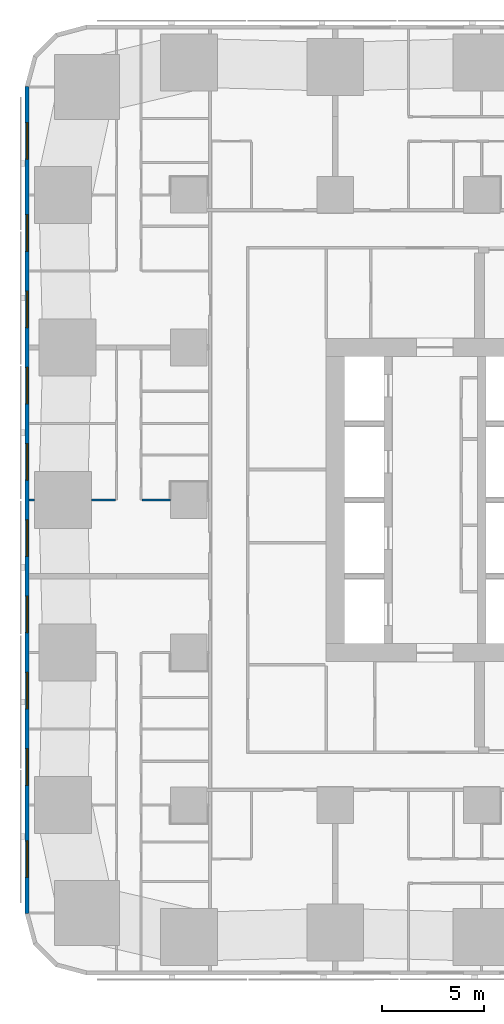
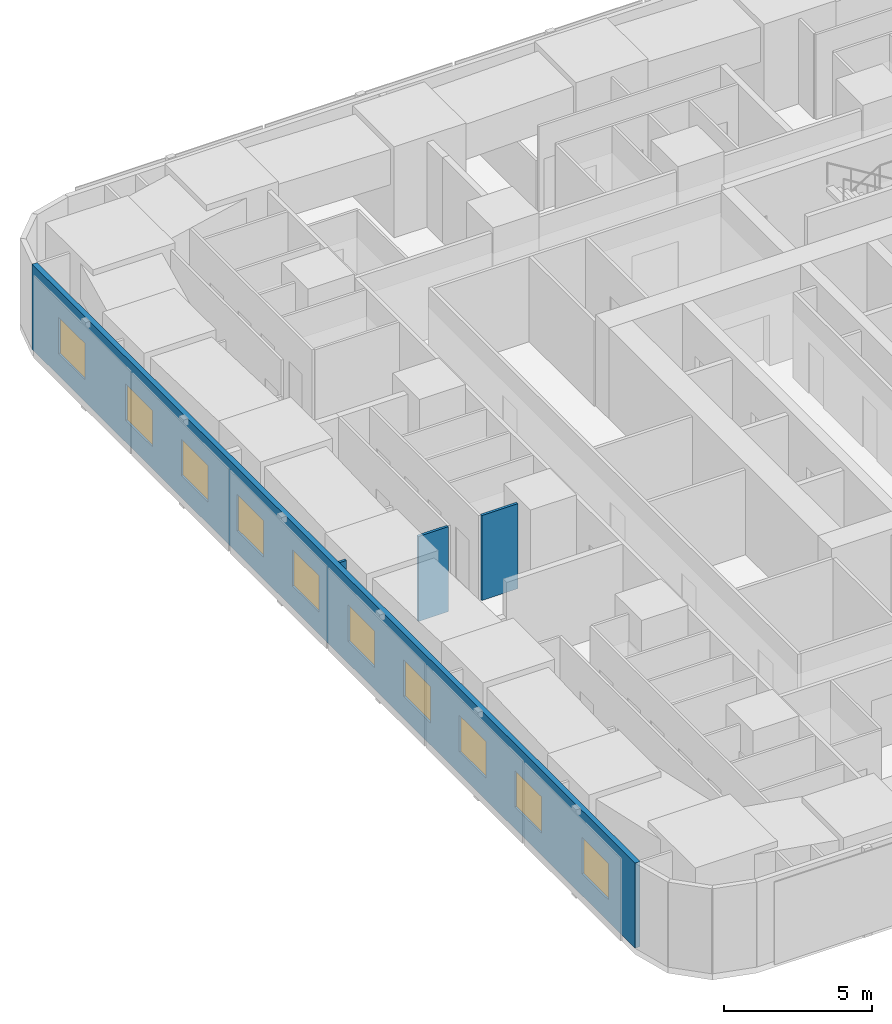
# One storey, part 4 of 18: 10 windows, 4 walls, 10 openings.
"""IFC4 building model written with IfcOpenShell, lengths in metres."""

import ifcopenshell
import ifcopenshell.guid

model = None  # the IFC model being written
_history = None  # IfcOwnerHistory: only IFC2X3 demands one
_inside = {}  # id of a spatial element -> (the spatial element, [elements in it])
_under = {}  # id of a project, library or spatial element -> (it, [spatial elements below it])
_declared = {}  # id of a project -> (the project, [libraries it declares])
_typed = {}  # id of a type object -> (the type object, [elements of that type])
_made_of = {}  # id of a material, layer set ... -> (it, [elements and type objects made of it])


def new_model(schema):
    """Start an empty IFC model of exactly this schema.

    Asked for "IFC4X3", IfcOpenShell would pick the latest addendum, in which some entities
    have other attributes; the version numbers below select the first issue.
    IFC2X3 requires an IfcOwnerHistory on every rooted entity: one is made here for all.
    """
    global model, _history
    if schema == "IFC4X3":
        model = ifcopenshell.file(schema_version=(4, 3, 0, 0))
    else:
        model = ifcopenshell.file(schema=schema)
    _inside.clear()
    _under.clear()
    _declared.clear()
    _typed.clear()
    _made_of.clear()
    _history = None
    if model.schema == "IFC2X3":
        org = make("IfcOrganization", Name="unknown")
        user = make(
            "IfcPersonAndOrganization",
            ThePerson=make("IfcPerson", FamilyName="unknown"),
            TheOrganization=org,
        )
        app = make(
            "IfcApplication",
            ApplicationDeveloper=org,
            Version="unknown",
            ApplicationFullName="unknown",
            ApplicationIdentifier="unknown",
        )
        _history = make(
            "IfcOwnerHistory",
            OwningUser=user,
            OwningApplication=app,
            ChangeAction="ADDED",
            CreationDate=0,
        )
    return model


def make(cls, **values):
    """One entity of the class cls with the attributes given. An attribute that is None is left unset."""
    return model.create_entity(
        cls, **{name: value for name, value in values.items() if value is not None}
    )


def rooted(cls, **values):
    """An entity with a GlobalId (a new one), such as an element, a storey or a relation."""
    return make(cls, GlobalId=ifcopenshell.guid.new(), OwnerHistory=_history, **values)


def si_unit(unit_type, name, prefix=None):
    """IfcSIUnit, for example si_unit("LENGTHUNIT", "METRE", prefix="MILLI")."""
    return make("IfcSIUnit", UnitType=unit_type, Prefix=prefix, Name=name)


def assignment(units):
    """IfcUnitAssignment: the units of a project."""
    return None if units is None else make("IfcUnitAssignment", Units=units)


def point(xyz):
    """IfcCartesianPoint."""
    return None if xyz is None else make("IfcCartesianPoint", Coordinates=xyz)


def direction(xyz):
    """IfcDirection."""
    return None if xyz is None else make("IfcDirection", DirectionRatios=xyz)


def frame(location, z_axis=None, x_axis=None):
    """IfcAxis2Placement3D, a coordinate frame: its origin and axes. An axis left out is left unset."""
    return make(
        "IfcAxis2Placement3D",
        Location=point(location),
        Axis=direction(z_axis),
        RefDirection=direction(x_axis),
    )


def frame_2d(location, x_axis=None):
    """IfcAxis2Placement2D, a coordinate frame in the plane: its origin and x axis."""
    return make(
        "IfcAxis2Placement2D", Location=point(location), RefDirection=direction(x_axis)
    )


def origin():
    """The frame at (0, 0, 0) with its axes left unset."""
    return frame((0.0, 0.0, 0.0))


def place(relative_to, where):
    """IfcLocalPlacement: puts the frame where relative to a parent placement (None: the world)."""
    return make(
        "IfcLocalPlacement", PlacementRelTo=relative_to, RelativePlacement=where
    )


def context(
    kind, dimensions, precision=None, world=None, true_north=None, identifier=None
):
    """IfcGeometricRepresentationContext, for example the 3D "Model" context."""
    return make(
        "IfcGeometricRepresentationContext",
        ContextIdentifier=identifier,
        ContextType=kind,
        CoordinateSpaceDimension=dimensions,
        Precision=precision,
        WorldCoordinateSystem=world,
        TrueNorth=true_north,
    )


def subcontext(parent, identifier, kind, view, scale=None):
    """IfcGeometricRepresentationSubContext, for example "Body" below "Model"."""
    return make(
        "IfcGeometricRepresentationSubContext",
        ContextIdentifier=identifier,
        ContextType=kind,
        ParentContext=parent,
        TargetScale=scale,
        TargetView=view,
    )


def project(units=None, contexts=None):
    """IfcProject with its units and contexts."""
    return rooted(
        "IfcProject",
        Name="project",
        RepresentationContexts=contexts,
        UnitsInContext=assignment(units),
    )


def spatial(cls, under=None, at=None, **own):
    """A site, building, storey or space (cls), placed at a placement, below another one or the project."""
    s = rooted(cls, ObjectPlacement=at, **own)
    if under is not None:
        _under.setdefault(under.id(), (under, []))[1].append(s)
    return s


def profile(cls, at=None, kind="AREA", **sizes):
    """A parametric profile (cls). Its sizes go by their IFC names, for example OverallWidth=200.0."""
    return make(cls, ProfileType=kind, Position=at, **sizes)


def rectangle(**sizes):
    """IfcRectangleProfileDef."""
    return profile("IfcRectangleProfileDef", **sizes)


def extrude(swept, where, along, depth):
    """IfcExtrudedAreaSolid: the profile swept, set in the frame where, extruded along a direction by depth."""
    return make(
        "IfcExtrudedAreaSolid",
        SweptArea=swept,
        Position=where,
        ExtrudedDirection=direction(along),
        Depth=depth,
    )


def shape(context_of_items, identifier, shape_type, items):
    """IfcShapeRepresentation: the items that make up one representation, for example the "Body"."""
    return make(
        "IfcShapeRepresentation",
        ContextOfItems=context_of_items,
        RepresentationIdentifier=identifier,
        RepresentationType=shape_type,
        Items=items,
    )


def material(Name=None, Category=None):
    """IfcMaterial."""
    return make("IfcMaterial", Name=Name, Category=Category)


def layer(
    of_material, thickness, ventilated=None, Name=None, Category=None, Priority=None
):
    """IfcMaterialLayer: one layer of a wall or slab, of a material (None: an air gap)."""
    return make(
        "IfcMaterialLayer",
        Material=of_material,
        LayerThickness=thickness,
        IsVentilated=ventilated,
        Name=Name,
        Category=Category,
        Priority=Priority,
    )


def layer_set(layers, Name=None):
    """IfcMaterialLayerSet."""
    return make("IfcMaterialLayerSet", MaterialLayers=layers, LayerSetName=Name)


def made_of(thing, what):
    """Note that an element or type object is made of a material, layer set ...; save() writes the relation."""
    if what is not None:
        _made_of.setdefault(what.id(), (what, []))[1].append(thing)
    return thing


def type_object(cls, material=None, **own):
    """A type object (cls), such as IfcWallType, which elements share."""
    return made_of(rooted(cls, **own), material)


def element(
    cls,
    number,
    at=None,
    inside=None,
    cuts=None,
    type_object=None,
    material=None,
    context=None,
    identifier="Body",
    shape_type=None,
    held_by="IfcProductDefinitionShape",
    body=None,
    shapes=None,
    **own,
):
    """One element of the class cls, such as IfcWall. Its Tag is "e" and its number.

    at: its placement. inside: the storey or other place that contains it. cuts: it is an
    opening in that element (IfcRelVoidsElement). A single representation is given by context,
    identifier, shape_type and body (its items); several are given by shapes. held_by: the class
    of the entity that holds the representations. save() writes the other relations.
    """
    e = rooted(cls, Tag="e%d" % number, ObjectPlacement=at, **own)
    if body is not None:
        shapes = [shape(context, identifier, shape_type, body)]
    if shapes is not None:
        e.Representation = make(held_by, Representations=shapes)
    if inside is not None:
        _inside.setdefault(inside.id(), (inside, []))[1].append(e)
    if cuts is not None:
        rooted(
            "IfcRelVoidsElement", RelatingBuildingElement=cuts, RelatedOpeningElement=e
        )
    if type_object is not None:
        _typed.setdefault(type_object.id(), (type_object, []))[1].append(e)
    return made_of(e, material)


def fill(opening, filler):
    """IfcRelFillsElement: the door or window that sits in an opening."""
    return rooted(
        "IfcRelFillsElement",
        RelatingOpeningElement=opening,
        RelatedBuildingElement=filler,
    )


def aggregate(whole, parts):
    """IfcRelAggregates: a whole, such as a stair, and the parts it consists of."""
    return rooted("IfcRelAggregates", RelatingObject=whole, RelatedObjects=parts)


def save(model, path):
    """Write the relations noted so far, then the file.

    IfcRelAggregates (storeys below a building ...), IfcRelContainedInSpatialStructure (elements
    in a storey), IfcRelDefinesByType, IfcRelAssociatesMaterial and IfcRelDeclares: one each for
    every whole, place, type object, material and project.
    """
    for whole, parts in _under.values():
        aggregate(whole, parts)
    for where, things in _inside.values():
        rooted(
            "IfcRelContainedInSpatialStructure",
            RelatedElements=things,
            RelatingStructure=where,
        )
    for kind, things in _typed.values():
        rooted("IfcRelDefinesByType", RelatedObjects=things, RelatingType=kind)
    for what, things in _made_of.values():
        rooted("IfcRelAssociatesMaterial", RelatedObjects=things, RelatingMaterial=what)
    for by, libraries in _declared.values():
        rooted("IfcRelDeclares", RelatingContext=by, RelatedDefinitions=libraries)
    model.write(path)


model = new_model("IFC4")

# Units and contexts
model_context = context("Model", 3, precision=1e-05, world=origin(), true_north=direction((0.0, 1.0)))
body_context = subcontext(model_context, "Body", "Model", "MODEL_VIEW")
ifc_project = project(units=[si_unit("LENGTHUNIT", "METRE"), si_unit("AREAUNIT", "SQUARE_METRE"), si_unit("VOLUMEUNIT", "CUBIC_METRE"), si_unit("PLANEANGLEUNIT", "RADIAN"), si_unit("MASSUNIT", "GRAM", prefix="KILO")], contexts=[model_context])

# Site, building, storey
site_placement = place(None, origin())
site = spatial("IfcSite", under=ifc_project, at=site_placement, CompositionType="ELEMENT")
building_placement = place(site_placement, origin())
building = spatial("IfcBuilding", under=site, at=building_placement, Name="Sheger Commons Tower", CompositionType="ELEMENT")
storey_placement = place(building_placement, frame((0.0, 0.0, 31.25)))
storey = spatial("IfcBuildingStorey", under=building, at=storey_placement, Name="L07", CompositionType="ELEMENT", Elevation=31.25)

# Wall, openings, windows
ifc_material_1 = material(Name="Rendered concrete block masonry, dark grey", Category="masonry")
ifc_layer_1 = layer(ifc_material_1, 0.199951171875)
ifc_layer_set_1 = layer_set([ifc_layer_1], Name="FACADE WALL 200")
wall_type_1 = type_object("IfcWallType", Name="FACADE WALL 200", PredefinedType="SOLIDWALL", material=ifc_layer_set_1)
wall_1_placement = place(storey_placement, frame((-0.75, 42.8369140625, 0.0), z_axis=(0.0, 0.0, 1.0), x_axis=(0.0, -1.0, 0.0)))
wall_1 = element("IfcWall", 1, at=wall_1_placement, inside=storey, type_object=wall_type_1, Name="Facade wall L07", PredefinedType="SOLIDWALL", context=body_context, shape_type="SweptSolid", body=[
    extrude(rectangle(XDim=40.673828125, YDim=0.199951171875, at=frame_2d((20.3369140625, 0.0))), origin(), (0.0, 0.0, 1.0), 3.5),
])
opening_1_placement = place(wall_1_placement, frame((1.780029296875, 0.0, 0.89990234375)))
opening_1 = element("IfcOpeningElement", 2, at=opening_1_placement, cuts=wall_1, Name="Opening W2", PredefinedType="OPENING", context=body_context, shape_type="SweptSolid", body=[
    extrude(rectangle(XDim=1.800048828125, YDim=1.5, at=frame_2d((0.89990234375, 0.75))), frame((0.0, 0.10986328125, 0.0), z_axis=(0.0, -1.0, 0.0), x_axis=(1.0, 0.0, 0.0)), (0.0, 0.0, 1.0), 0.219970703125),
])
opening_2_placement = place(wall_1_placement, frame((6.31201171875, 0.0, 0.89990234375)))
opening_2 = element("IfcOpeningElement", 3, at=opening_2_placement, cuts=wall_1, Name="Opening W2", PredefinedType="OPENING", context=body_context, shape_type="SweptSolid", body=[
    extrude(rectangle(XDim=1.800048828125, YDim=1.5, at=frame_2d((0.89990234375, 0.75))), frame((0.0, 0.10986328125, 0.0), z_axis=(0.0, -1.0, 0.0), x_axis=(1.0, 0.0, 0.0)), (0.0, 0.0, 1.0), 0.219970703125),
])
opening_3_placement = place(wall_1_placement, frame((10.06201171875, 0.0, 0.89990234375)))
opening_3 = element("IfcOpeningElement", 4, at=opening_3_placement, cuts=wall_1, Name="Opening W2", PredefinedType="OPENING", context=body_context, shape_type="SweptSolid", body=[
    extrude(rectangle(XDim=1.800048828125, YDim=1.5, at=frame_2d((0.89990234375, 0.75))), frame((0.0, 0.10986328125, 0.0), z_axis=(0.0, -1.0, 0.0), x_axis=(1.0, 0.0, 0.0)), (0.0, 0.0, 1.0), 0.219970703125),
])
opening_4_placement = place(wall_1_placement, frame((13.81201171875, 0.0, 0.89990234375)))
opening_4 = element("IfcOpeningElement", 5, at=opening_4_placement, cuts=wall_1, Name="Opening W2", PredefinedType="OPENING", context=body_context, shape_type="SweptSolid", body=[
    extrude(rectangle(XDim=1.800048828125, YDim=1.5, at=frame_2d((0.89990234375, 0.75))), frame((0.0, 0.10986328125, 0.0), z_axis=(0.0, -1.0, 0.0), x_axis=(1.0, 0.0, 0.0)), (0.0, 0.0, 1.0), 0.219970703125),
])
opening_5_placement = place(wall_1_placement, frame((17.56201171875, 0.0, 0.89990234375)))
opening_5 = element("IfcOpeningElement", 6, at=opening_5_placement, cuts=wall_1, Name="Opening W2", PredefinedType="OPENING", context=body_context, shape_type="SweptSolid", body=[
    extrude(rectangle(XDim=1.800048828125, YDim=1.5, at=frame_2d((0.89990234375, 0.75))), frame((0.0, 0.10986328125, 0.0), z_axis=(0.0, -1.0, 0.0), x_axis=(1.0, 0.0, 0.0)), (0.0, 0.0, 1.0), 0.219970703125),
])
opening_6_placement = place(wall_1_placement, frame((21.31201171875, 0.0, 0.89990234375)))
opening_6 = element("IfcOpeningElement", 7, at=opening_6_placement, cuts=wall_1, Name="Opening W2", PredefinedType="OPENING", context=body_context, shape_type="SweptSolid", body=[
    extrude(rectangle(XDim=1.800048828125, YDim=1.5, at=frame_2d((0.89990234375, 0.75))), frame((0.0, 0.10986328125, 0.0), z_axis=(0.0, -1.0, 0.0), x_axis=(1.0, 0.0, 0.0)), (0.0, 0.0, 1.0), 0.219970703125),
])
opening_7_placement = place(wall_1_placement, frame((25.06201171875, 0.0, 0.89990234375)))
opening_7 = element("IfcOpeningElement", 8, at=opening_7_placement, cuts=wall_1, Name="Opening W2", PredefinedType="OPENING", context=body_context, shape_type="SweptSolid", body=[
    extrude(rectangle(XDim=1.800048828125, YDim=1.5, at=frame_2d((0.89990234375, 0.75))), frame((0.0, 0.10986328125, 0.0), z_axis=(0.0, -1.0, 0.0), x_axis=(1.0, 0.0, 0.0)), (0.0, 0.0, 1.0), 0.219970703125),
])
opening_8_placement = place(wall_1_placement, frame((28.81201171875, 0.0, 0.89990234375)))
opening_8 = element("IfcOpeningElement", 9, at=opening_8_placement, cuts=wall_1, Name="Opening W2", PredefinedType="OPENING", context=body_context, shape_type="SweptSolid", body=[
    extrude(rectangle(XDim=1.800048828125, YDim=1.5, at=frame_2d((0.89990234375, 0.75))), frame((0.0, 0.10986328125, 0.0), z_axis=(0.0, -1.0, 0.0), x_axis=(1.0, 0.0, 0.0)), (0.0, 0.0, 1.0), 0.219970703125),
])
opening_9_placement = place(wall_1_placement, frame((32.56201171875, 0.0, 0.89990234375)))
opening_9 = element("IfcOpeningElement", 10, at=opening_9_placement, cuts=wall_1, Name="Opening W2", PredefinedType="OPENING", context=body_context, shape_type="SweptSolid", body=[
    extrude(rectangle(XDim=1.800048828125, YDim=1.5, at=frame_2d((0.89990234375, 0.75))), frame((0.0, 0.10986328125, 0.0), z_axis=(0.0, -1.0, 0.0), x_axis=(1.0, 0.0, 0.0)), (0.0, 0.0, 1.0), 0.219970703125),
])
opening_10_placement = place(wall_1_placement, frame((37.093994140625, 0.0, 0.89990234375)))
opening_10 = element("IfcOpeningElement", 11, at=opening_10_placement, cuts=wall_1, Name="Opening W2", PredefinedType="OPENING", context=body_context, shape_type="SweptSolid", body=[
    extrude(rectangle(XDim=1.800048828125, YDim=1.5, at=frame_2d((0.89990234375, 0.75))), frame((0.0, 0.10986328125, 0.0), z_axis=(0.0, -1.0, 0.0), x_axis=(1.0, 0.0, 0.0)), (0.0, 0.0, 1.0), 0.219970703125),
])
ifc_material_2 = material(Name="Black aluminium frame, dark tinted double glazing", Category="aluminium")
window_type = type_object("IfcWindowType", Name="WINDOW W2 1800x1500", PartitioningType="SINGLE_PANEL", PredefinedType="WINDOW", material=ifc_material_2)
window_1_placement = place(opening_1_placement, origin())
window_1 = element("IfcWindow", 12, at=window_1_placement, inside=storey, type_object=window_type, Name="Window W2 1800X1500", OverallHeight=1.5, OverallWidth=1.800048828125, PartitioningType="SINGLE_PANEL", PredefinedType="WINDOW", context=body_context, shape_type="SweptSolid", body=[
    extrude(rectangle(XDim=1.800048828125, YDim=1.5, at=frame_2d((0.89990234375, 0.75))), frame((0.0, 0.030029296875, 0.0), z_axis=(0.0, -1.0, 0.0), x_axis=(1.0, 0.0, 0.0)), (0.0, 0.0, 1.0), 0.06005859375),
])
fill(opening_1, window_1)
window_2_placement = place(opening_2_placement, origin())
window_2 = element("IfcWindow", 13, at=window_2_placement, inside=storey, type_object=window_type, Name="Window W2 1800X1500", OverallHeight=1.5, OverallWidth=1.800048828125, PartitioningType="SINGLE_PANEL", PredefinedType="WINDOW", context=body_context, shape_type="SweptSolid", body=[
    extrude(rectangle(XDim=1.800048828125, YDim=1.5, at=frame_2d((0.89990234375, 0.75))), frame((0.0, 0.030029296875, 0.0), z_axis=(0.0, -1.0, 0.0), x_axis=(1.0, 0.0, 0.0)), (0.0, 0.0, 1.0), 0.06005859375),
])
fill(opening_2, window_2)
window_3_placement = place(opening_3_placement, origin())
window_3 = element("IfcWindow", 14, at=window_3_placement, inside=storey, type_object=window_type, Name="Window W2 1800X1500", OverallHeight=1.5, OverallWidth=1.800048828125, PartitioningType="SINGLE_PANEL", PredefinedType="WINDOW", context=body_context, shape_type="SweptSolid", body=[
    extrude(rectangle(XDim=1.800048828125, YDim=1.5, at=frame_2d((0.89990234375, 0.75))), frame((0.0, 0.030029296875, 0.0), z_axis=(0.0, -1.0, 0.0), x_axis=(1.0, 0.0, 0.0)), (0.0, 0.0, 1.0), 0.06005859375),
])
fill(opening_3, window_3)
window_4_placement = place(opening_4_placement, origin())
window_4 = element("IfcWindow", 15, at=window_4_placement, inside=storey, type_object=window_type, Name="Window W2 1800X1500", OverallHeight=1.5, OverallWidth=1.800048828125, PartitioningType="SINGLE_PANEL", PredefinedType="WINDOW", context=body_context, shape_type="SweptSolid", body=[
    extrude(rectangle(XDim=1.800048828125, YDim=1.5, at=frame_2d((0.89990234375, 0.75))), frame((0.0, 0.030029296875, 0.0), z_axis=(0.0, -1.0, 0.0), x_axis=(1.0, 0.0, 0.0)), (0.0, 0.0, 1.0), 0.06005859375),
])
fill(opening_4, window_4)
window_5_placement = place(opening_5_placement, origin())
window_5 = element("IfcWindow", 16, at=window_5_placement, inside=storey, type_object=window_type, Name="Window W2 1800X1500", OverallHeight=1.5, OverallWidth=1.800048828125, PartitioningType="SINGLE_PANEL", PredefinedType="WINDOW", context=body_context, shape_type="SweptSolid", body=[
    extrude(rectangle(XDim=1.800048828125, YDim=1.5, at=frame_2d((0.89990234375, 0.75))), frame((0.0, 0.030029296875, 0.0), z_axis=(0.0, -1.0, 0.0), x_axis=(1.0, 0.0, 0.0)), (0.0, 0.0, 1.0), 0.06005859375),
])
fill(opening_5, window_5)
window_6_placement = place(opening_6_placement, origin())
window_6 = element("IfcWindow", 17, at=window_6_placement, inside=storey, type_object=window_type, Name="Window W2 1800X1500", OverallHeight=1.5, OverallWidth=1.800048828125, PartitioningType="SINGLE_PANEL", PredefinedType="WINDOW", context=body_context, shape_type="SweptSolid", body=[
    extrude(rectangle(XDim=1.800048828125, YDim=1.5, at=frame_2d((0.89990234375, 0.75))), frame((0.0, 0.030029296875, 0.0), z_axis=(0.0, -1.0, 0.0), x_axis=(1.0, 0.0, 0.0)), (0.0, 0.0, 1.0), 0.06005859375),
])
fill(opening_6, window_6)
window_7_placement = place(opening_7_placement, origin())
window_7 = element("IfcWindow", 18, at=window_7_placement, inside=storey, type_object=window_type, Name="Window W2 1800X1500", OverallHeight=1.5, OverallWidth=1.800048828125, PartitioningType="SINGLE_PANEL", PredefinedType="WINDOW", context=body_context, shape_type="SweptSolid", body=[
    extrude(rectangle(XDim=1.800048828125, YDim=1.5, at=frame_2d((0.89990234375, 0.75))), frame((0.0, 0.030029296875, 0.0), z_axis=(0.0, -1.0, 0.0), x_axis=(1.0, 0.0, 0.0)), (0.0, 0.0, 1.0), 0.06005859375),
])
fill(opening_7, window_7)
window_8_placement = place(opening_8_placement, origin())
window_8 = element("IfcWindow", 19, at=window_8_placement, inside=storey, type_object=window_type, Name="Window W2 1800X1500", OverallHeight=1.5, OverallWidth=1.800048828125, PartitioningType="SINGLE_PANEL", PredefinedType="WINDOW", context=body_context, shape_type="SweptSolid", body=[
    extrude(rectangle(XDim=1.800048828125, YDim=1.5, at=frame_2d((0.89990234375, 0.75))), frame((0.0, 0.030029296875, 0.0), z_axis=(0.0, -1.0, 0.0), x_axis=(1.0, 0.0, 0.0)), (0.0, 0.0, 1.0), 0.06005859375),
])
fill(opening_8, window_8)
window_9_placement = place(opening_9_placement, origin())
window_9 = element("IfcWindow", 20, at=window_9_placement, inside=storey, type_object=window_type, Name="Window W2 1800X1500", OverallHeight=1.5, OverallWidth=1.800048828125, PartitioningType="SINGLE_PANEL", PredefinedType="WINDOW", context=body_context, shape_type="SweptSolid", body=[
    extrude(rectangle(XDim=1.800048828125, YDim=1.5, at=frame_2d((0.89990234375, 0.75))), frame((0.0, 0.030029296875, 0.0), z_axis=(0.0, -1.0, 0.0), x_axis=(1.0, 0.0, 0.0)), (0.0, 0.0, 1.0), 0.06005859375),
])
fill(opening_9, window_9)
window_10_placement = place(opening_10_placement, origin())
window_10 = element("IfcWindow", 21, at=window_10_placement, inside=storey, type_object=window_type, Name="Window W2 1800X1500", OverallHeight=1.5, OverallWidth=1.800048828125, PartitioningType="SINGLE_PANEL", PredefinedType="WINDOW", context=body_context, shape_type="SweptSolid", body=[
    extrude(rectangle(XDim=1.800048828125, YDim=1.5, at=frame_2d((0.89990234375, 0.75))), frame((0.0, 0.030029296875, 0.0), z_axis=(0.0, -1.0, 0.0), x_axis=(1.0, 0.0, 0.0)), (0.0, 0.0, 1.0), 0.06005859375),
])
fill(opening_10, window_10)

# Walls
ifc_material_3 = material(Name="Gypsum board on steel studs", Category="steel")
ifc_layer_2 = layer(ifc_material_3, 0.10009765625)
ifc_layer_set_2 = layer_set([ifc_layer_2], Name="PARTITION 100")
wall_type_2 = type_object("IfcWallType", Name="PARTITION 100", PredefinedType="PARTITIONING", material=ifc_layer_set_2)
wall_2_placement = place(storey_placement, frame((-0.64990234375, 22.5, 0.0), z_axis=(0.0, 0.0, 1.0), x_axis=(1.0, 0.0, 0.0)))
element("IfcWall", 22, at=wall_2_placement, inside=storey, type_object=wall_type_2, Name="Partition L07", PredefinedType="PARTITIONING", context=body_context, shape_type="SweptSolid", body=[
    extrude(rectangle(XDim=0.27392578125, YDim=0.10009765625, at=frame_2d((0.136962890625, 0.0))), origin(), (0.0, 0.0, 1.0), 3.5),
])
wall_3_placement = place(storey_placement, frame((2.426025390625, 22.5, 0.0), z_axis=(0.0, 0.0, 1.0), x_axis=(1.0, 0.0, 0.0)))
element("IfcWall", 23, at=wall_3_placement, inside=storey, type_object=wall_type_2, Name="Partition L07", PredefinedType="PARTITIONING", context=body_context, shape_type="SweptSolid", body=[
    extrude(rectangle(XDim=1.174072265625, YDim=0.10009765625, at=frame_2d((0.5869140625, 0.0))), origin(), (0.0, 0.0, 1.0), 3.5),
])
wall_4_placement = place(storey_placement, frame((4.89990234375, 22.5, 0.0), z_axis=(0.0, 0.0, 1.0), x_axis=(1.0, 0.0, 0.0)))
element("IfcWall", 24, at=wall_4_placement, inside=storey, type_object=wall_type_2, Name="Partition L07", PredefinedType="PARTITIONING", context=body_context, shape_type="SweptSolid", body=[
    extrude(rectangle(XDim=1.399169921875, YDim=0.10009765625, at=frame_2d((0.69970703125, 0.0))), origin(), (0.0, 0.0, 1.0), 3.5),
])

save(model, "model.ifc")
